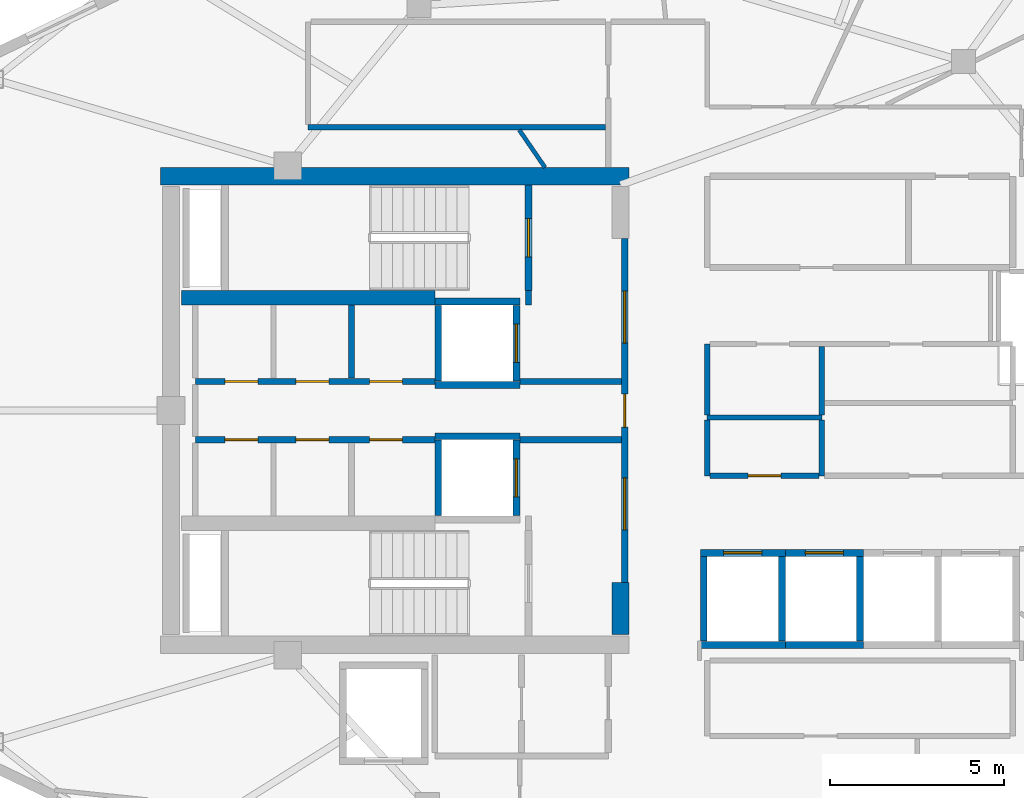
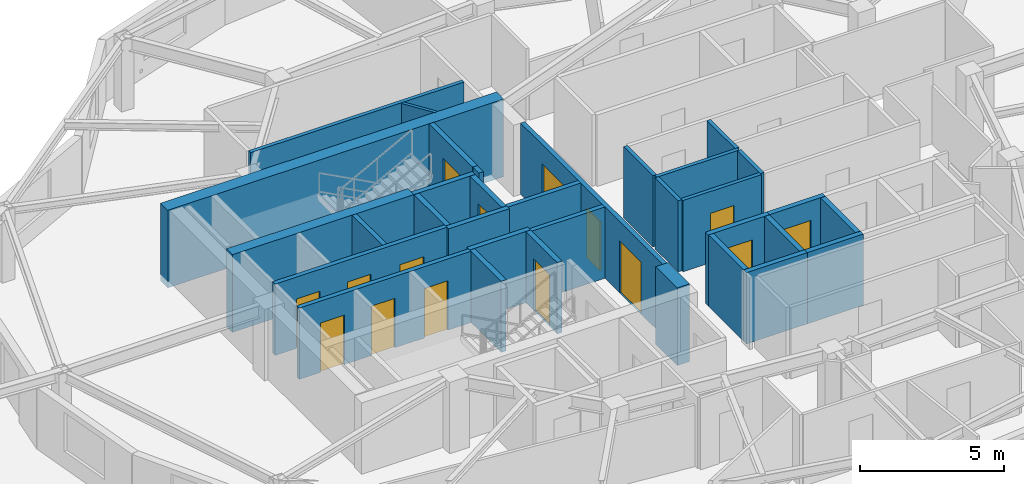
# One storey, part 4 of 10: 33 walls, 15 doors, 15 openings.
"""IFC4 building model written with IfcOpenShell, lengths in metres."""

from ifc_helpers import new_model, si_unit, direction, frame, frame_2d, origin, place, context, subcontext, project, spatial, rectangle, extrude, material, layer, layer_set, type_object, element, fill, save


model = new_model("IFC4")

# Units and contexts
model_context = context("Model", 3, precision=1e-05, world=origin(), true_north=direction((0.0, 1.0)))
body_context = subcontext(model_context, "Body", "Model", "MODEL_VIEW")
ifc_project = project(units=[si_unit("LENGTHUNIT", "METRE"), si_unit("AREAUNIT", "SQUARE_METRE"), si_unit("VOLUMEUNIT", "CUBIC_METRE"), si_unit("PLANEANGLEUNIT", "RADIAN"), si_unit("MASSUNIT", "GRAM", prefix="KILO")], contexts=[model_context])

# Site, building, storey
site_placement = place(None, origin())
site = spatial("IfcSite", under=ifc_project, at=site_placement, CompositionType="ELEMENT")
building_placement = place(site_placement, origin())
building = spatial("IfcBuilding", under=site, at=building_placement, Name="Kolvaren Gate Tower and Convention Centre", CompositionType="ELEMENT")
storey_placement = place(building_placement, frame((0.0, 0.0, 203.0)))
storey = spatial("IfcBuildingStorey", under=building, at=storey_placement, Name="L53", CompositionType="ELEMENT", Elevation=203.0)

# Wall
ifc_material_1 = material(Name="Autoclaved Aerated Masonry Blockwork Class 4 (4.0 MPa)", Category="masonry")
ifc_layer_1 = layer(ifc_material_1, 0.179931640625)
ifc_layer_set_1 = layer_set([ifc_layer_1], Name="Autoclaved Aerated Masonry Blockwork Class 4 (4.0 MPa)")
wall_type_1 = type_object("IfcWallType", Name="ARCH-WL-COMP-180", PredefinedType="SOLIDWALL", material=ifc_layer_set_1)
wall_1_placement = place(storey_placement, frame((24.85009765625, 30.0400390625, 0.0), z_axis=(0.0, 0.0, 1.0), x_axis=(0.0, 1.0, 0.0)))
element("IfcWall", 1, at=wall_1_placement, inside=storey, type_object=wall_type_1, Name="Interior Partition WL-L53-INT-002", PredefinedType="SOLIDWALL", context=body_context, shape_type="SweptSolid", body=[
    extrude(rectangle(XDim=0.419921875, YDim=0.179931640625, at=frame_2d((0.2099609375, 0.0))), origin(), (0.0, 0.0, 1.0), 3.030029296875),
])

# Wall, openings, doors
wall_2_placement = place(storey_placement, frame((27.6201171875, 22.050048828125, 0.0), z_axis=(0.0, 0.0, 1.0), x_axis=(0.0, 1.0, 0.0)))
wall_2 = element("IfcWall", 2, at=wall_2_placement, inside=storey, type_object=wall_type_1, Name="Interior Partition WL-L53-INT-003", PredefinedType="SOLIDWALL", context=body_context, shape_type="SweptSolid", body=[
    extrude(rectangle(XDim=9.89990234375, YDim=0.179931640625, at=frame_2d((4.949951171875, 0.0))), origin(), (0.0, 0.0, 1.0), 3.030029296875),
])
opening_1_placement = place(wall_2_placement, frame((4.47509765625, 0.0, 0.0)))
opening_1 = element("IfcOpeningElement", 3, at=opening_1_placement, cuts=wall_2, Name="Opening DR-01", PredefinedType="OPENING", context=body_context, shape_type="SweptSolid", body=[
    extrude(rectangle(XDim=0.949951171875, YDim=2.10009765625, at=frame_2d((0.47509765625, 1.050048828125))), frame((0.0, 0.099853515625, 0.0), z_axis=(0.0, -1.0, 0.0), x_axis=(1.0, 0.0, 0.0)), (0.0, 0.0, 1.0), 0.199951171875),
])
opening_2_placement = place(wall_2_placement, frame((6.889892578125, 0.0, 0.0)))
opening_2 = element("IfcOpeningElement", 4, at=opening_2_placement, cuts=wall_2, Name="Opening DL-01", PredefinedType="OPENING", context=body_context, shape_type="SweptSolid", body=[
    extrude(rectangle(XDim=1.5, YDim=2.199951171875, at=frame_2d((0.75, 1.10009765625))), frame((0.0, 0.099853515625, 0.0), z_axis=(0.0, -1.0, 0.0), x_axis=(1.0, 0.0, 0.0)), (0.0, 0.0, 1.0), 0.199951171875),
])
opening_3_placement = place(wall_2_placement, frame((1.510009765625, 0.0, 0.0)))
opening_3 = element("IfcOpeningElement", 5, at=opening_3_placement, cuts=wall_2, Name="Opening DL-01", PredefinedType="OPENING", context=body_context, shape_type="SweptSolid", body=[
    extrude(rectangle(XDim=1.5, YDim=2.199951171875, at=frame_2d((0.75, 1.10009765625))), frame((0.0, 0.099853515625, 0.0), z_axis=(0.0, -1.0, 0.0), x_axis=(1.0, 0.0, 0.0)), (0.0, 0.0, 1.0), 0.199951171875),
])
ifc_material_2 = material(Name="Painted Architectural Steelwork ASTM A500 Grade C 345 MPa", Category="steel")
door_type_1 = type_object("IfcDoorType", Name="ARCH-DR-LOBBY-1500", OperationType="DOUBLE_DOOR_SINGLE_SWING", PredefinedType="DOOR", material=ifc_material_2)
door_1_placement = place(opening_2_placement, origin())
door_1 = element("IfcDoor", 6, at=door_1_placement, inside=storey, type_object=door_type_1, Name="North Firefighting Stair and Lift Lobby Door", OperationType="DOUBLE_DOOR_SINGLE_SWING", OverallHeight=2.199951171875, OverallWidth=1.5, PredefinedType="DOOR", context=body_context, shape_type="SweptSolid", body=[
    extrude(rectangle(XDim=1.5, YDim=2.199951171875, at=frame_2d((0.75, 1.10009765625))), frame((0.0, 0.02490234375, 0.0), z_axis=(0.0, -1.0, 0.0), x_axis=(1.0, 0.0, 0.0)), (0.0, 0.0, 1.0), 0.050048828125),
])
fill(opening_2, door_1)
door_2_placement = place(opening_3_placement, origin())
door_2 = element("IfcDoor", 7, at=door_2_placement, inside=storey, type_object=door_type_1, Name="South Firefighting Stair and Lift Lobby Door", OperationType="DOUBLE_DOOR_SINGLE_SWING", OverallHeight=2.199951171875, OverallWidth=1.5, PredefinedType="DOOR", context=body_context, shape_type="SweptSolid", body=[
    extrude(rectangle(XDim=1.5, YDim=2.199951171875, at=frame_2d((0.75, 1.10009765625))), frame((0.0, 0.02490234375, 0.0), z_axis=(0.0, -1.0, 0.0), x_axis=(1.0, 0.0, 0.0)), (0.0, 0.0, 1.0), 0.050048828125),
])
fill(opening_3, door_2)
door_type_2 = type_object("IfcDoorType", Name="ARCH-DR-RISER-950", OperationType="SINGLE_SWING_RIGHT", PredefinedType="DOOR", material=ifc_material_2)
door_3_placement = place(opening_1_placement, origin())
door_3 = element("IfcDoor", 8, at=door_3_placement, inside=storey, type_object=door_type_2, Name="Central MEP Service Corridor Door", OperationType="SINGLE_SWING_RIGHT", OverallHeight=2.10009765625, OverallWidth=0.949951171875, PredefinedType="DOOR", context=body_context, shape_type="SweptSolid", body=[
    extrude(rectangle(XDim=0.949951171875, YDim=2.10009765625, at=frame_2d((0.47509765625, 1.050048828125))), frame((0.0, 0.02490234375, 0.0), z_axis=(0.0, -1.0, 0.0), x_axis=(1.0, 0.0, 0.0)), (0.0, 0.0, 1.0), 0.050048828125),
])
fill(opening_1, door_3)

wall_3_placement = place(storey_placement, frame((15.25, 27.840087890625, 0.0), z_axis=(0.0, 0.0, 1.0), x_axis=(1.0, 0.0, 0.0)))
wall_3 = element("IfcWall", 9, at=wall_3_placement, inside=storey, type_object=wall_type_1, Name="Interior Partition WL-L53-INT-004", PredefinedType="SOLIDWALL", context=body_context, shape_type="SweptSolid", body=[
    extrude(rectangle(XDim=6.89990234375, YDim=0.179931640625, at=frame_2d((3.449951171875, 0.0))), origin(), (0.0, 0.0, 1.0), 3.030029296875),
])
opening_4_placement = place(wall_3_placement, frame((5.02001953125, 0.0, 0.0)))
opening_4 = element("IfcOpeningElement", 10, at=opening_4_placement, cuts=wall_3, Name="Opening DR-01", PredefinedType="OPENING", context=body_context, shape_type="SweptSolid", body=[
    extrude(rectangle(XDim=0.949951171875, YDim=2.10009765625, at=frame_2d((0.47509765625, 1.050048828125))), frame((0.0, 0.099853515625, 0.0), z_axis=(0.0, -1.0, 0.0), x_axis=(1.0, 0.0, 0.0)), (0.0, 0.0, 1.0), 0.199951171875),
])
opening_5_placement = place(wall_3_placement, frame((0.85498046875, 0.0, 0.0)))
opening_5 = element("IfcOpeningElement", 11, at=opening_5_placement, cuts=wall_3, Name="Opening DR-01", PredefinedType="OPENING", context=body_context, shape_type="SweptSolid", body=[
    extrude(rectangle(XDim=0.949951171875, YDim=2.10009765625, at=frame_2d((0.47509765625, 1.050048828125))), frame((0.0, 0.099853515625, 0.0), z_axis=(0.0, -1.0, 0.0), x_axis=(1.0, 0.0, 0.0)), (0.0, 0.0, 1.0), 0.199951171875),
])
opening_6_placement = place(wall_3_placement, frame((2.89990234375, 0.0, 0.0)))
opening_6 = element("IfcOpeningElement", 12, at=opening_6_placement, cuts=wall_3, Name="Opening DR-01", PredefinedType="OPENING", context=body_context, shape_type="SweptSolid", body=[
    extrude(rectangle(XDim=0.949951171875, YDim=2.10009765625, at=frame_2d((0.47509765625, 1.050048828125))), frame((0.0, 0.099853515625, 0.0), z_axis=(0.0, -1.0, 0.0), x_axis=(1.0, 0.0, 0.0)), (0.0, 0.0, 1.0), 0.199951171875),
])
door_4_placement = place(opening_4_placement, origin())
door_4 = element("IfcDoor", 13, at=door_4_placement, inside=storey, type_object=door_type_2, Name="Electrical Switchgear Closet Door", OperationType="SINGLE_SWING_LEFT", OverallHeight=2.10009765625, OverallWidth=0.949951171875, PredefinedType="DOOR", context=body_context, shape_type="SweptSolid", body=[
    extrude(rectangle(XDim=0.949951171875, YDim=2.10009765625, at=frame_2d((0.47509765625, 1.050048828125))), frame((0.0, 0.02490234375, 0.0), z_axis=(0.0, -1.0, 0.0), x_axis=(1.0, 0.0, 0.0)), (0.0, 0.0, 1.0), 0.050048828125),
])
fill(opening_4, door_4)
door_5_placement = place(opening_5_placement, origin())
door_5 = element("IfcDoor", 14, at=door_5_placement, inside=storey, type_object=door_type_2, Name="Staff Accessible WC Door", OperationType="SINGLE_SWING_LEFT", OverallHeight=2.10009765625, OverallWidth=0.949951171875, PredefinedType="DOOR", context=body_context, shape_type="SweptSolid", body=[
    extrude(rectangle(XDim=0.949951171875, YDim=2.10009765625, at=frame_2d((0.47509765625, 1.050048828125))), frame((0.0, 0.02490234375, 0.0), z_axis=(0.0, -1.0, 0.0), x_axis=(1.0, 0.0, 0.0)), (0.0, 0.0, 1.0), 0.050048828125),
])
fill(opening_5, door_5)
door_6_placement = place(opening_6_placement, origin())
door_6 = element("IfcDoor", 15, at=door_6_placement, inside=storey, type_object=door_type_2, Name="Housekeeping Sink Closet Door", OperationType="SINGLE_SWING_RIGHT", OverallHeight=2.10009765625, OverallWidth=0.949951171875, PredefinedType="DOOR", context=body_context, shape_type="SweptSolid", body=[
    extrude(rectangle(XDim=0.949951171875, YDim=2.10009765625, at=frame_2d((0.47509765625, 1.050048828125))), frame((0.0, 0.02490234375, 0.0), z_axis=(0.0, -1.0, 0.0), x_axis=(1.0, 0.0, 0.0)), (0.0, 0.0, 1.0), 0.050048828125),
])
fill(opening_6, door_6)

# Wall
wall_4_placement = place(storey_placement, frame((24.60009765625, 27.840087890625, 0.0), z_axis=(0.0, 0.0, 1.0), x_axis=(1.0, 0.0, 0.0)))
element("IfcWall", 16, at=wall_4_placement, inside=storey, type_object=wall_type_1, Name="Interior Partition WL-L53-INT-004 (2)", PredefinedType="SOLIDWALL", context=body_context, shape_type="SweptSolid", body=[
    extrude(rectangle(XDim=2.927978515625, YDim=0.179931640625, at=frame_2d((1.4638671875, 0.0))), origin(), (0.0, 0.0, 1.0), 3.030029296875),
])

# Wall, openings, doors
wall_5_placement = place(storey_placement, frame((15.25, 26.159912109375, 0.0), z_axis=(0.0, 0.0, 1.0), x_axis=(1.0, 0.0, 0.0)))
wall_5 = element("IfcWall", 17, at=wall_5_placement, inside=storey, type_object=wall_type_1, Name="Interior Partition WL-L53-INT-005", PredefinedType="SOLIDWALL", context=body_context, shape_type="SweptSolid", body=[
    extrude(rectangle(XDim=6.89990234375, YDim=0.179931640625, at=frame_2d((3.449951171875, 0.0))), origin(), (0.0, 0.0, 1.0), 3.030029296875),
])
opening_7_placement = place(wall_5_placement, frame((5.02001953125, 0.0, 0.0)))
opening_7 = element("IfcOpeningElement", 18, at=opening_7_placement, cuts=wall_5, Name="Opening DR-01", PredefinedType="OPENING", context=body_context, shape_type="SweptSolid", body=[
    extrude(rectangle(XDim=0.949951171875, YDim=2.10009765625, at=frame_2d((0.47509765625, 1.050048828125))), frame((0.0, 0.099853515625, 0.0), z_axis=(0.0, -1.0, 0.0), x_axis=(1.0, 0.0, 0.0)), (0.0, 0.0, 1.0), 0.199951171875),
])
opening_8_placement = place(wall_5_placement, frame((0.85498046875, 0.0, 0.0)))
opening_8 = element("IfcOpeningElement", 19, at=opening_8_placement, cuts=wall_5, Name="Opening DR-01", PredefinedType="OPENING", context=body_context, shape_type="SweptSolid", body=[
    extrude(rectangle(XDim=0.949951171875, YDim=2.10009765625, at=frame_2d((0.47509765625, 1.050048828125))), frame((0.0, 0.099853515625, 0.0), z_axis=(0.0, -1.0, 0.0), x_axis=(1.0, 0.0, 0.0)), (0.0, 0.0, 1.0), 0.199951171875),
])
opening_9_placement = place(wall_5_placement, frame((2.89990234375, 0.0, 0.0)))
opening_9 = element("IfcOpeningElement", 20, at=opening_9_placement, cuts=wall_5, Name="Opening DR-01", PredefinedType="OPENING", context=body_context, shape_type="SweptSolid", body=[
    extrude(rectangle(XDim=0.949951171875, YDim=2.10009765625, at=frame_2d((0.47509765625, 1.050048828125))), frame((0.0, 0.099853515625, 0.0), z_axis=(0.0, -1.0, 0.0), x_axis=(1.0, 0.0, 0.0)), (0.0, 0.0, 1.0), 0.199951171875),
])
door_7_placement = place(opening_7_placement, origin())
door_7 = element("IfcDoor", 21, at=door_7_placement, inside=storey, type_object=door_type_2, Name="Domestic Water Meter Closet Door", OperationType="SINGLE_SWING_RIGHT", OverallHeight=2.10009765625, OverallWidth=0.949951171875, PredefinedType="DOOR", context=body_context, shape_type="SweptSolid", body=[
    extrude(rectangle(XDim=0.949951171875, YDim=2.10009765625, at=frame_2d((0.47509765625, 1.050048828125))), frame((0.0, 0.02490234375, 0.0), z_axis=(0.0, -1.0, 0.0), x_axis=(1.0, 0.0, 0.0)), (0.0, 0.0, 1.0), 0.050048828125),
])
fill(opening_7, door_7)
door_8_placement = place(opening_8_placement, origin())
door_8 = element("IfcDoor", 22, at=door_8_placement, inside=storey, type_object=door_type_2, Name="Beverage Service Pantry Door", OperationType="SINGLE_SWING_LEFT", OverallHeight=2.10009765625, OverallWidth=0.949951171875, PredefinedType="DOOR", context=body_context, shape_type="SweptSolid", body=[
    extrude(rectangle(XDim=0.949951171875, YDim=2.10009765625, at=frame_2d((0.47509765625, 1.050048828125))), frame((0.0, 0.02490234375, 0.0), z_axis=(0.0, -1.0, 0.0), x_axis=(1.0, 0.0, 0.0)), (0.0, 0.0, 1.0), 0.050048828125),
])
fill(opening_8, door_8)
door_9_placement = place(opening_9_placement, origin())
door_9 = element("IfcDoor", 23, at=door_9_placement, inside=storey, type_object=door_type_2, Name="Archive Supply Closet Door", OperationType="SINGLE_SWING_RIGHT", OverallHeight=2.10009765625, OverallWidth=0.949951171875, PredefinedType="DOOR", context=body_context, shape_type="SweptSolid", body=[
    extrude(rectangle(XDim=0.949951171875, YDim=2.10009765625, at=frame_2d((0.47509765625, 1.050048828125))), frame((0.0, 0.02490234375, 0.0), z_axis=(0.0, -1.0, 0.0), x_axis=(1.0, 0.0, 0.0)), (0.0, 0.0, 1.0), 0.050048828125),
])
fill(opening_9, door_9)

# Walls
wall_6_placement = place(storey_placement, frame((24.60009765625, 26.159912109375, 0.0), z_axis=(0.0, 0.0, 1.0), x_axis=(1.0, 0.0, 0.0)))
element("IfcWall", 24, at=wall_6_placement, inside=storey, type_object=wall_type_1, Name="Interior Partition WL-L53-INT-005 (2)", PredefinedType="SOLIDWALL", context=body_context, shape_type="SweptSolid", body=[
    extrude(rectangle(XDim=2.927978515625, YDim=0.179931640625, at=frame_2d((1.4638671875, 0.0))), origin(), (0.0, 0.0, 1.0), 3.030029296875),
])
wall_7_placement = place(storey_placement, frame((19.75, 27.931884765625, 0.0), z_axis=(0.0, 0.0, 1.0), x_axis=(0.0, 1.0, 0.0)))
element("IfcWall", 25, at=wall_7_placement, inside=storey, type_object=wall_type_1, Name="Interior Partition WL-L53-INT-008", PredefinedType="SOLIDWALL", context=body_context, shape_type="SweptSolid", body=[
    extrude(rectangle(XDim=2.106201171875, YDim=0.179931640625, at=frame_2d((1.05322265625, 0.0))), origin(), (0.0, 0.0, 1.0), 3.030029296875),
])
ifc_material_3 = material(Name="Fire-Rated Acoustic Gypsum Stud Partition", Category="gypsum")
ifc_layer_2 = layer(ifc_material_3, 0.1201171875)
ifc_layer_set_2 = layer_set([ifc_layer_2], Name="Fire-Rated Acoustic Gypsum Stud Partition")
wall_type_2 = type_object("IfcWallType", Name="ARCH-WL-PART-120", PredefinedType="PARTITIONING", material=ifc_layer_set_2)
wall_8_placement = place(storey_placement, frame((24.585693359375, 35.0830078125, 0.0), z_axis=(0.0, 0.0, 1.0), x_axis=(0.565231440294, -0.824932372321, 0.0)))
element("IfcWall", 26, at=wall_8_placement, inside=storey, type_object=wall_type_2, Name="Interior Partition WL-L53-INT-082", PredefinedType="PARTITIONING", context=body_context, shape_type="SweptSolid", body=[
    extrude(rectangle(XDim=1.310546875, YDim=0.1201171875, at=frame_2d((0.6552734375, 0.0))), origin(), (0.0, 0.0, 1.0), 3.030029296875),
])
ifc_layer_3 = layer(ifc_material_1, 0.199951171875)
ifc_layer_set_3 = layer_set([ifc_layer_3], Name="Autoclaved Aerated Masonry Blockwork Class 4 (4.0 MPa)")
wall_type_3 = type_object("IfcWallType", Name="ARCH-WL-SHAFT-200", PredefinedType="SOLIDWALL", material=ifc_layer_set_3)
for number, where, z_axis, x_axis, name in (
    (27, (22.14990234375, 30.139892578125, 0.0), (0.0, 0.0, 1.0), (1.0, 0.0, 0.0), "Elevator FF-01 L53 Fire Shaft Wall N"),
    (28, (22.14990234375, 27.739990234375, 0.0), (0.0, 0.0, 1.0), (1.0, 0.0, 0.0), "Elevator FF-01 L53 Fire Shaft Wall S"),
):
    element("IfcWall", number, at=place(storey_placement, frame(where, z_axis=z_axis, x_axis=x_axis)), inside=storey, type_object=wall_type_3, Name=name, PredefinedType="SOLIDWALL", context=body_context, shape_type="SweptSolid", body=[
        extrude(rectangle(XDim=2.4501953125, YDim=0.199951171875, at=frame_2d((1.22509765625, 0.0))), origin(), (0.0, 0.0, 1.0), 3.030029296875),
    ])
wall_9_placement = place(storey_placement, frame((22.25, 27.85009765625, 0.0), z_axis=(0.0, 0.0, 1.0), x_axis=(0.0, 1.0, 0.0)))
element("IfcWall", 29, at=wall_9_placement, inside=storey, type_object=wall_type_3, Name="Elevator FF-01 L53 Fire Shaft Wall W", PredefinedType="SOLIDWALL", context=body_context, shape_type="SweptSolid", body=[
    extrude(rectangle(XDim=2.179931640625, YDim=0.199951171875, at=frame_2d((1.08984375, 0.0))), origin(), (0.0, 0.0, 1.0), 3.030029296875),
])

# Wall, opening, door
wall_10_placement = place(storey_placement, frame((24.5, 27.85009765625, 0.0), z_axis=(0.0, 0.0, 1.0), x_axis=(0.0, 1.0, 0.0)))
wall_10 = element("IfcWall", 30, at=wall_10_placement, inside=storey, type_object=wall_type_3, Name="Elevator FF-01 L53 Fire Shaft Wall E", PredefinedType="SOLIDWALL", context=body_context, shape_type="SweptSolid", body=[
    extrude(rectangle(XDim=2.179931640625, YDim=0.199951171875, at=frame_2d((1.08984375, 0.0))), origin(), (0.0, 0.0, 1.0), 3.030029296875),
])
opening_10_placement = place(wall_10_placement, frame((0.5400390625, 0.0, 0.0)))
opening_10 = element("IfcOpeningElement", 31, at=opening_10_placement, cuts=wall_10, Name="Opening LD", PredefinedType="OPENING", context=body_context, shape_type="SweptSolid", body=[
    extrude(rectangle(XDim=1.10009765625, YDim=2.199951171875, at=frame_2d((0.550048828125, 1.10009765625))), frame((0.0, 0.10986328125, 0.0), z_axis=(0.0, -1.0, 0.0), x_axis=(1.0, 0.0, 0.0)), (0.0, 0.0, 1.0), 0.219970703125),
])
ifc_material_4 = material(Name="Brushed Stainless Steel Grade 316L", Category="steel")
door_type_3 = type_object("IfcDoorType", Name="ARCH-DR-LIFT-1100", OperationType="SLIDING_TO_LEFT", PredefinedType="DOOR", material=ifc_material_4)
door_10_placement = place(opening_10_placement, origin())
door_10 = element("IfcDoor", 32, at=door_10_placement, inside=storey, type_object=door_type_3, Name="Elevator FF-01 L53 Sliding Landing Door", OperationType="SLIDING_TO_LEFT", OverallHeight=2.199951171875, OverallWidth=1.10009765625, PredefinedType="DOOR", context=body_context, shape_type="SweptSolid", body=[
    extrude(rectangle(XDim=1.10009765625, YDim=2.199951171875, at=frame_2d((0.550048828125, 1.10009765625))), frame((0.0, 0.02490234375, 0.0), z_axis=(0.0, -1.0, 0.0), x_axis=(1.0, 0.0, 0.0)), (0.0, 0.0, 1.0), 0.050048828125),
])
fill(opening_10, door_10)

# Walls
wall_11_placement = place(storey_placement, frame((22.14990234375, 26.260009765625, 0.0), z_axis=(0.0, 0.0, 1.0), x_axis=(1.0, 0.0, 0.0)))
element("IfcWall", 33, at=wall_11_placement, inside=storey, type_object=wall_type_3, Name="Elevator FF-02 L53 Fire Shaft Wall N", PredefinedType="SOLIDWALL", context=body_context, shape_type="SweptSolid", body=[
    extrude(rectangle(XDim=2.4501953125, YDim=0.199951171875, at=frame_2d((1.22509765625, 0.0))), origin(), (0.0, 0.0, 1.0), 3.030029296875),
])
wall_12_placement = place(storey_placement, frame((22.25, 23.969970703125, 0.0), z_axis=(0.0, 0.0, 1.0), x_axis=(0.0, 1.0, 0.0)))
element("IfcWall", 34, at=wall_12_placement, inside=storey, type_object=wall_type_3, Name="Elevator FF-02 L53 Fire Shaft Wall W", PredefinedType="SOLIDWALL", context=body_context, shape_type="SweptSolid", body=[
    extrude(rectangle(XDim=2.179931640625, YDim=0.199951171875, at=frame_2d((1.08984375, 0.0))), origin(), (0.0, 0.0, 1.0), 3.030029296875),
])

# Wall, opening, door
wall_13_placement = place(storey_placement, frame((24.5, 23.969970703125, 0.0), z_axis=(0.0, 0.0, 1.0), x_axis=(0.0, 1.0, 0.0)))
wall_13 = element("IfcWall", 35, at=wall_13_placement, inside=storey, type_object=wall_type_3, Name="Elevator FF-02 L53 Fire Shaft Wall E", PredefinedType="SOLIDWALL", context=body_context, shape_type="SweptSolid", body=[
    extrude(rectangle(XDim=2.179931640625, YDim=0.199951171875, at=frame_2d((1.08984375, 0.0))), origin(), (0.0, 0.0, 1.0), 3.030029296875),
])
opening_11_placement = place(wall_13_placement, frame((0.5400390625, 0.0, 0.0)))
opening_11 = element("IfcOpeningElement", 36, at=opening_11_placement, cuts=wall_13, Name="Opening LD", PredefinedType="OPENING", context=body_context, shape_type="SweptSolid", body=[
    extrude(rectangle(XDim=1.10009765625, YDim=2.199951171875, at=frame_2d((0.550048828125, 1.10009765625))), frame((0.0, 0.10986328125, 0.0), z_axis=(0.0, -1.0, 0.0), x_axis=(1.0, 0.0, 0.0)), (0.0, 0.0, 1.0), 0.219970703125),
])
door_11_placement = place(opening_11_placement, origin())
door_11 = element("IfcDoor", 37, at=door_11_placement, inside=storey, type_object=door_type_3, Name="Elevator FF-02 L53 Sliding Landing Door", OperationType="SLIDING_TO_LEFT", OverallHeight=2.199951171875, OverallWidth=1.10009765625, PredefinedType="DOOR", context=body_context, shape_type="SweptSolid", body=[
    extrude(rectangle(XDim=1.10009765625, YDim=2.199951171875, at=frame_2d((0.550048828125, 1.10009765625))), frame((0.0, 0.02490234375, 0.0), z_axis=(0.0, -1.0, 0.0), x_axis=(1.0, 0.0, 0.0)), (0.0, 0.0, 1.0), 0.050048828125),
])
fill(opening_11, door_11)

wall_14_placement = place(storey_placement, frame((29.800048828125, 22.89990234375, 0.0), z_axis=(0.0, 0.0, 1.0), x_axis=(1.0, 0.0, 0.0)))
wall_14 = element("IfcWall", 38, at=wall_14_placement, inside=storey, type_object=wall_type_3, Name="Elevator PL-09 L53 Fire Shaft Wall N", PredefinedType="SOLIDWALL", context=body_context, shape_type="SweptSolid", body=[
    extrude(rectangle(XDim=2.449951171875, YDim=0.199951171875, at=frame_2d((1.22509765625, 0.0))), origin(), (0.0, 0.0, 1.0), 3.030029296875),
])
opening_12_placement = place(wall_14_placement, frame((0.675048828125, 0.0, 0.0)))
opening_12 = element("IfcOpeningElement", 39, at=opening_12_placement, cuts=wall_14, Name="Opening LD", PredefinedType="OPENING", context=body_context, shape_type="SweptSolid", body=[
    extrude(rectangle(XDim=1.10009765625, YDim=2.199951171875, at=frame_2d((0.550048828125, 1.10009765625))), frame((0.0, 0.10986328125, 0.0), z_axis=(0.0, -1.0, 0.0), x_axis=(1.0, 0.0, 0.0)), (0.0, 0.0, 1.0), 0.219970703125),
])
door_12_placement = place(opening_12_placement, origin())
door_12 = element("IfcDoor", 40, at=door_12_placement, inside=storey, type_object=door_type_3, Name="Elevator PL-09 L53 Sliding Landing Door", OperationType="SLIDING_TO_LEFT", OverallHeight=2.199951171875, OverallWidth=1.10009765625, PredefinedType="DOOR", context=body_context, shape_type="SweptSolid", body=[
    extrude(rectangle(XDim=1.10009765625, YDim=2.199951171875, at=frame_2d((0.550048828125, 1.10009765625))), frame((0.0, 0.02490234375, 0.0), z_axis=(0.0, -1.0, 0.0), x_axis=(1.0, 0.0, 0.0)), (0.0, 0.0, 1.0), 0.050048828125),
])
fill(opening_12, door_12)

# Walls
wall_15_placement = place(storey_placement, frame((29.800048828125, 20.25, 0.0), z_axis=(0.0, 0.0, 1.0), x_axis=(1.0, 0.0, 0.0)))
element("IfcWall", 41, at=wall_15_placement, inside=storey, type_object=wall_type_3, Name="Elevator PL-09 L53 Fire Shaft Wall S", PredefinedType="SOLIDWALL", context=body_context, shape_type="SweptSolid", body=[
    extrude(rectangle(XDim=2.449951171875, YDim=0.199951171875, at=frame_2d((1.22509765625, 0.0))), origin(), (0.0, 0.0, 1.0), 3.030029296875),
])
for number, where, z_axis, x_axis, name in (
    (42, (29.89990234375, 20.360107421875, 0.0), (0.0, 0.0, 1.0), (0.0, 1.0, 0.0), "Elevator PL-09 L53 Fire Shaft Wall W"),
    (43, (32.14990234375, 20.360107421875, 0.0), (0.0, 0.0, 1.0), (0.0, 1.0, 0.0), "Elevator PL-09 L53 Fire Shaft Wall E"),
):
    element("IfcWall", number, at=place(storey_placement, frame(where, z_axis=z_axis, x_axis=x_axis)), inside=storey, type_object=wall_type_3, Name=name, PredefinedType="SOLIDWALL", context=body_context, shape_type="SweptSolid", body=[
        extrude(rectangle(XDim=2.429931640625, YDim=0.199951171875, at=frame_2d((1.21484375, 0.0))), origin(), (0.0, 0.0, 1.0), 3.030029296875),
    ])

# Wall, opening, door
wall_16_placement = place(storey_placement, frame((32.25, 22.89990234375, 0.0), z_axis=(0.0, 0.0, 1.0), x_axis=(1.0, 0.0, 0.0)))
wall_16 = element("IfcWall", 44, at=wall_16_placement, inside=storey, type_object=wall_type_3, Name="Elevator PL-10 L53 Fire Shaft Wall N", PredefinedType="SOLIDWALL", context=body_context, shape_type="SweptSolid", body=[
    extrude(rectangle(XDim=2.25, YDim=0.199951171875, at=frame_2d((1.125, 0.0))), origin(), (0.0, 0.0, 1.0), 3.030029296875),
])
opening_13_placement = place(wall_16_placement, frame((0.574951171875, 0.0, 0.0)))
opening_13 = element("IfcOpeningElement", 45, at=opening_13_placement, cuts=wall_16, Name="Opening LD", PredefinedType="OPENING", context=body_context, shape_type="SweptSolid", body=[
    extrude(rectangle(XDim=1.10009765625, YDim=2.199951171875, at=frame_2d((0.550048828125, 1.10009765625))), frame((0.0, 0.10986328125, 0.0), z_axis=(0.0, -1.0, 0.0), x_axis=(1.0, 0.0, 0.0)), (0.0, 0.0, 1.0), 0.219970703125),
])
door_13_placement = place(opening_13_placement, origin())
door_13 = element("IfcDoor", 46, at=door_13_placement, inside=storey, type_object=door_type_3, Name="Elevator PL-10 L53 Sliding Landing Door", OperationType="SLIDING_TO_LEFT", OverallHeight=2.199951171875, OverallWidth=1.10009765625, PredefinedType="DOOR", context=body_context, shape_type="SweptSolid", body=[
    extrude(rectangle(XDim=1.10009765625, YDim=2.199951171875, at=frame_2d((0.550048828125, 1.10009765625))), frame((0.0, 0.02490234375, 0.0), z_axis=(0.0, -1.0, 0.0), x_axis=(1.0, 0.0, 0.0)), (0.0, 0.0, 1.0), 0.050048828125),
])
fill(opening_13, door_13)

# Walls
wall_17_placement = place(storey_placement, frame((32.25, 20.25, 0.0), z_axis=(0.0, 0.0, 1.0), x_axis=(1.0, 0.0, 0.0)))
element("IfcWall", 47, at=wall_17_placement, inside=storey, type_object=wall_type_3, Name="Elevator PL-10 L53 Fire Shaft Wall S", PredefinedType="SOLIDWALL", context=body_context, shape_type="SweptSolid", body=[
    extrude(rectangle(XDim=2.25, YDim=0.199951171875, at=frame_2d((1.125, 0.0))), origin(), (0.0, 0.0, 1.0), 3.030029296875),
])
wall_18_placement = place(storey_placement, frame((34.39990234375, 20.360107421875, 0.0), z_axis=(0.0, 0.0, 1.0), x_axis=(0.0, 1.0, 0.0)))
element("IfcWall", 48, at=wall_18_placement, inside=storey, type_object=wall_type_3, Name="Elevator PL-10 L53 Fire Shaft Wall E", PredefinedType="SOLIDWALL", context=body_context, shape_type="SweptSolid", body=[
    extrude(rectangle(XDim=2.429931640625, YDim=0.199951171875, at=frame_2d((1.21484375, 0.0))), origin(), (0.0, 0.0, 1.0), 3.030029296875),
])
ifc_material_5 = material(Name="Moisture-Resistant Cement-Board Acoustic Partition", Category="gypsum")
ifc_layer_4 = layer(ifc_material_5, 0.14990234375)
ifc_layer_set_4 = layer_set([ifc_layer_4], Name="Moisture-Resistant Cement-Board Acoustic Partition")
wall_type_4 = type_object("IfcWallType", Name="ARCH-WL-WET-150", PredefinedType="PARTITIONING", material=ifc_layer_set_4)
wall_19_placement = place(storey_placement, frame((30.0, 26.800048828125, 0.0), z_axis=(0.0, 0.0, 1.0), x_axis=(1.0, 0.0, 0.0)))
element("IfcWall", 49, at=wall_19_placement, inside=storey, type_object=wall_type_4, Name="Interior Partition WL-L53-INT-017", PredefinedType="PARTITIONING", context=body_context, shape_type="SweptSolid", body=[
    extrude(rectangle(XDim=3.300048828125, YDim=0.14990234375, at=frame_2d((1.64990234375, 0.0))), origin(), (0.0, 0.0, 1.0), 3.030029296875),
])
wall_20_placement = place(storey_placement, frame((30.0, 25.1201171875, 0.0), z_axis=(0.0, 0.0, 1.0), x_axis=(0.0, 1.0, 0.0)))
element("IfcWall", 50, at=wall_20_placement, inside=storey, type_object=wall_type_4, Name="Interior Partition WL-L53-INT-019", PredefinedType="PARTITIONING", context=body_context, shape_type="SweptSolid", body=[
    extrude(rectangle(XDim=1.602783203125, YDim=0.14990234375, at=frame_2d((0.80126953125, 0.0))), origin(), (0.0, 0.0, 1.0), 3.030029296875),
])
wall_21_placement = place(storey_placement, frame((30.0, 26.876953125, 0.0), z_axis=(0.0, 0.0, 1.0), x_axis=(0.0, 1.0, 0.0)))
element("IfcWall", 51, at=wall_21_placement, inside=storey, type_object=wall_type_4, Name="Interior Partition WL-L53-INT-019 (2)", PredefinedType="PARTITIONING", context=body_context, shape_type="SweptSolid", body=[
    extrude(rectangle(XDim=2.04296875, YDim=0.14990234375, at=frame_2d((1.021484375, 0.0))), origin(), (0.0, 0.0, 1.0), 3.030029296875),
])
wall_22_placement = place(storey_placement, frame((33.300048828125, 25.1201171875, 0.0), z_axis=(0.0, 0.0, 1.0), x_axis=(0.0, 1.0, 0.0)))
element("IfcWall", 52, at=wall_22_placement, inside=storey, type_object=wall_type_4, Name="Interior Partition WL-L53-INT-023", PredefinedType="PARTITIONING", context=body_context, shape_type="SweptSolid", body=[
    extrude(rectangle(XDim=1.602783203125, YDim=0.14990234375, at=frame_2d((0.80126953125, 0.0))), origin(), (0.0, 0.0, 1.0), 3.030029296875),
])
wall_23_placement = place(storey_placement, frame((33.300048828125, 26.876953125, 0.0), z_axis=(0.0, 0.0, 1.0), x_axis=(0.0, 1.0, 0.0)))
element("IfcWall", 53, at=wall_23_placement, inside=storey, type_object=wall_type_4, Name="Interior Partition WL-L53-INT-023 (2)", PredefinedType="PARTITIONING", context=body_context, shape_type="SweptSolid", body=[
    extrude(rectangle(XDim=1.966064453125, YDim=0.14990234375, at=frame_2d((0.98291015625, 0.0))), origin(), (0.0, 0.0, 1.0), 3.030029296875),
])

# Wall, opening, door
wall_24_placement = place(storey_placement, frame((30.076904296875, 25.1201171875, 0.0), z_axis=(0.0, 0.0, 1.0), x_axis=(1.0, 0.0, 0.0)))
wall_24 = element("IfcWall", 54, at=wall_24_placement, inside=storey, type_object=wall_type_4, Name="Interior Partition WL-L53-INT-024", PredefinedType="PARTITIONING", context=body_context, shape_type="SweptSolid", body=[
    extrude(rectangle(XDim=3.14599609375, YDim=0.14990234375, at=frame_2d((1.572998046875, 0.0))), origin(), (0.0, 0.0, 1.0), 3.030029296875),
])
opening_14_placement = place(wall_24_placement, frame((1.097900390625, 0.0, 0.0)))
opening_14 = element("IfcOpeningElement", 55, at=opening_14_placement, cuts=wall_24, Name="Opening DR-01", PredefinedType="OPENING", context=body_context, shape_type="SweptSolid", body=[
    extrude(rectangle(XDim=0.949951171875, YDim=2.10009765625, at=frame_2d((0.47509765625, 1.050048828125))), frame((0.0, 0.0849609375, 0.0), z_axis=(0.0, -1.0, 0.0), x_axis=(1.0, 0.0, 0.0)), (0.0, 0.0, 1.0), 0.169921875),
])
door_14_placement = place(opening_14_placement, origin())
door_14 = element("IfcDoor", 56, at=door_14_placement, inside=storey, type_object=door_type_2, Name="South Visitor Washroom Door", OperationType="SINGLE_SWING_LEFT", OverallHeight=2.10009765625, OverallWidth=0.949951171875, PredefinedType="DOOR", context=body_context, shape_type="SweptSolid", body=[
    extrude(rectangle(XDim=0.949951171875, YDim=2.10009765625, at=frame_2d((0.47509765625, 1.050048828125))), frame((0.0, 0.02490234375, 0.0), z_axis=(0.0, -1.0, 0.0), x_axis=(1.0, 0.0, 0.0)), (0.0, 0.0, 1.0), 0.050048828125),
])
fill(opening_14, door_14)

# Walls
wall_25_placement = place(storey_placement, frame((18.5, 35.159912109375, 0.0), z_axis=(0.0, 0.0, 1.0), x_axis=(1.0, 0.0, 0.0)))
element("IfcWall", 57, at=wall_25_placement, inside=storey, type_object=wall_type_4, Name="Interior Partition WL-L53-INT-034", PredefinedType="PARTITIONING", context=body_context, shape_type="SweptSolid", body=[
    extrude(rectangle(XDim=8.572998046875, YDim=0.14990234375, at=frame_2d((4.28662109375, 0.0))), origin(), (0.0, 0.0, 1.0), 3.030029296875),
])
ifc_material_6 = material(Name="Concrete C50/60", Category="concrete")
ifc_layer_5 = layer(ifc_material_6, 0.419921875)
ifc_layer_set_5 = layer_set([ifc_layer_5], Name="Concrete C50/60")
wall_type_5 = type_object("IfcWallType", Name="STR-WL-CONV-420", PredefinedType="SHEAR", material=ifc_layer_set_5)
wall_26_placement = place(storey_placement, frame((14.85009765625, 30.25, -0.27001953125), z_axis=(0.0, 0.0, 1.0), x_axis=(1.0, 0.0, 0.0)))
element("IfcWall", 58, at=wall_26_placement, inside=storey, type_object=wall_type_5, Name="Tower L53 Offset Core Shear Wall WN", PredefinedType="SHEAR", context=body_context, shape_type="SweptSolid", body=[
    extrude(rectangle(XDim=7.2998046875, YDim=0.419921875, at=frame_2d((3.64990234375, 0.0))), origin(), (0.0, 0.0, 1.0), 3.300048828125),
])
ifc_layer_6 = layer(ifc_material_6, 0.5)
ifc_layer_set_6 = layer_set([ifc_layer_6], Name="Concrete C50/60")
wall_type_6 = type_object("IfcWallType", Name="STR-WL-CORE-500", PredefinedType="SHEAR", material=ifc_layer_set_6)
wall_27_placement = place(storey_placement, frame((14.25, 33.75, -0.27001953125), z_axis=(0.0, 0.0, 1.0), x_axis=(1.0, 0.0, 0.0)))
element("IfcWall", 59, at=wall_27_placement, inside=storey, type_object=wall_type_6, Name="Tower L53 Offset Core Shear Wall N", PredefinedType="SHEAR", context=body_context, shape_type="SweptSolid", body=[
    extrude(rectangle(XDim=13.5, YDim=0.5, at=frame_2d((6.75, 0.0))), origin(), (0.0, 0.0, 1.0), 3.300048828125),
])
wall_28_placement = place(storey_placement, frame((27.5, 20.550048828125, -0.27001953125), z_axis=(0.0, 0.0, 1.0), x_axis=(0.0, 1.0, 0.0)))
element("IfcWall", 60, at=wall_28_placement, inside=storey, type_object=wall_type_6, Name="Tower L53 Offset Core Shear Wall ES", PredefinedType="SHEAR", context=body_context, shape_type="SweptSolid", body=[
    extrude(rectangle(XDim=1.5, YDim=0.5, at=frame_2d((0.75, 0.0))), origin(), (0.0, 0.0, 1.0), 3.300048828125),
])

# Wall, opening, door
ifc_layer_7 = layer(ifc_material_6, 0.199951171875)
ifc_layer_set_7 = layer_set([ifc_layer_7], Name="Concrete C50/60")
wall_type_7 = type_object("IfcWallType", Name="STR-WL-SHAFT-200", PredefinedType="SHEAR", material=ifc_layer_set_7)
wall_29_placement = place(storey_placement, frame((24.85009765625, 30.4599609375, -0.27001953125), z_axis=(0.0, 0.0, 1.0), x_axis=(0.0, 1.0, 0.0)))
wall_29 = element("IfcWall", 61, at=wall_29_placement, inside=storey, type_object=wall_type_7, Name="Tower North Exit Stair ST-T1 L53 Structural Shear Enclosure Wall NEAR", PredefinedType="SHEAR", context=body_context, shape_type="SweptSolid", body=[
    extrude(rectangle(XDim=3.0380859375, YDim=0.199951171875, at=frame_2d((1.51904296875, 0.0))), origin(), (0.0, 0.0, 1.0), 3.300048828125),
])
opening_15_placement = place(wall_29_placement, frame((0.968994140625, 0.0, 0.27001953125)))
opening_15 = element("IfcOpeningElement", 62, at=opening_15_placement, cuts=wall_29, Name="Opening DS-01", PredefinedType="OPENING", context=body_context, shape_type="SweptSolid", body=[
    extrude(rectangle(XDim=1.10009765625, YDim=2.14990234375, at=frame_2d((0.550048828125, 1.074951171875))), frame((0.0, 0.10986328125, 0.0), z_axis=(0.0, -1.0, 0.0), x_axis=(1.0, 0.0, 0.0)), (0.0, 0.0, 1.0), 0.219970703125),
])
door_type_4 = type_object("IfcDoorType", Name="ARCH-DR-STAIR-1100", OperationType="SINGLE_SWING_LEFT", PredefinedType="DOOR", material=ifc_material_2)
door_15_placement = place(opening_15_placement, origin())
door_15 = element("IfcDoor", 63, at=door_15_placement, inside=storey, type_object=door_type_4, Name="Tower North Exit Stair ST-T1 L53 Fire Exit Stair Door", OperationType="SINGLE_SWING_LEFT", OverallHeight=2.14990234375, OverallWidth=1.10009765625, PredefinedType="DOOR", context=body_context, shape_type="SweptSolid", body=[
    extrude(rectangle(XDim=1.10009765625, YDim=2.14990234375, at=frame_2d((0.550048828125, 1.074951171875))), frame((0.0, 0.02490234375, 0.0), z_axis=(0.0, -1.0, 0.0), x_axis=(1.0, 0.0, 0.0)), (0.0, 0.0, 1.0), 0.050048828125),
])
fill(opening_15, door_15)

save(model, "model.ifc")
